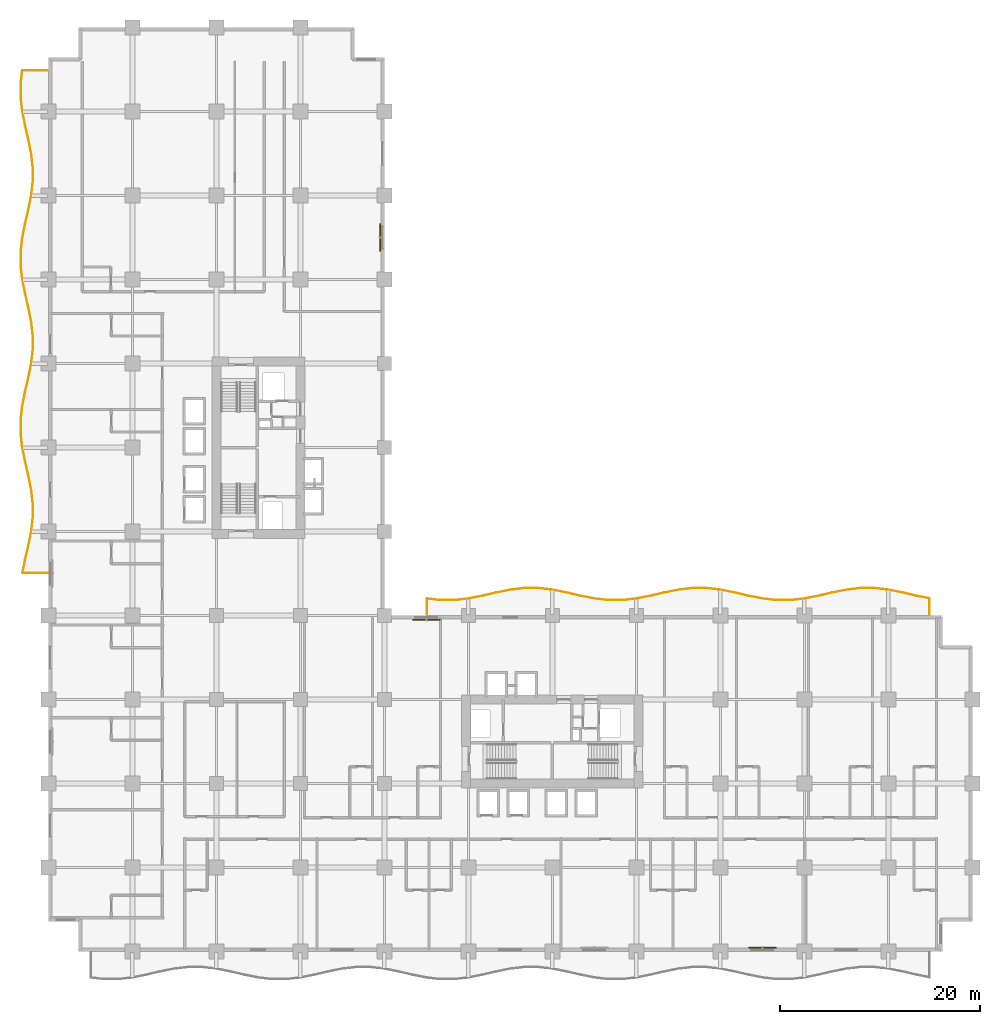
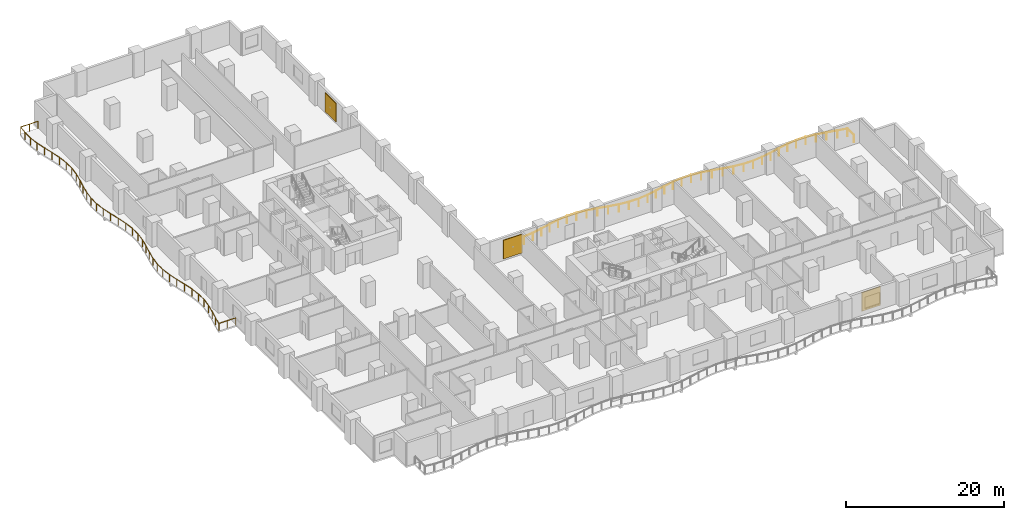
# One storey, part 22 of 22: 3 shading devices, 2 railings.
"""IFC4 building model written with IfcOpenShell, lengths in metres."""

import ifcopenshell
import ifcopenshell.guid

model = None  # the IFC model being written
_history = None  # IfcOwnerHistory: only IFC2X3 demands one
_inside = {}  # id of a spatial element -> (the spatial element, [elements in it])
_under = {}  # id of a project, library or spatial element -> (it, [spatial elements below it])
_declared = {}  # id of a project -> (the project, [libraries it declares])
_typed = {}  # id of a type object -> (the type object, [elements of that type])
_made_of = {}  # id of a material, layer set ... -> (it, [elements and type objects made of it])


def new_model(schema):
    """Start an empty IFC model of exactly this schema.

    Asked for "IFC4X3", IfcOpenShell would pick the latest addendum, in which some entities
    have other attributes; the version numbers below select the first issue.
    IFC2X3 requires an IfcOwnerHistory on every rooted entity: one is made here for all.
    """
    global model, _history
    if schema == "IFC4X3":
        model = ifcopenshell.file(schema_version=(4, 3, 0, 0))
    else:
        model = ifcopenshell.file(schema=schema)
    _inside.clear()
    _under.clear()
    _declared.clear()
    _typed.clear()
    _made_of.clear()
    _history = None
    if model.schema == "IFC2X3":
        org = make("IfcOrganization", Name="unknown")
        user = make(
            "IfcPersonAndOrganization",
            ThePerson=make("IfcPerson", FamilyName="unknown"),
            TheOrganization=org,
        )
        app = make(
            "IfcApplication",
            ApplicationDeveloper=org,
            Version="unknown",
            ApplicationFullName="unknown",
            ApplicationIdentifier="unknown",
        )
        _history = make(
            "IfcOwnerHistory",
            OwningUser=user,
            OwningApplication=app,
            ChangeAction="ADDED",
            CreationDate=0,
        )
    return model


def make(cls, **values):
    """One entity of the class cls with the attributes given. An attribute that is None is left unset."""
    return model.create_entity(
        cls, **{name: value for name, value in values.items() if value is not None}
    )


def rooted(cls, **values):
    """An entity with a GlobalId (a new one), such as an element, a storey or a relation."""
    return make(cls, GlobalId=ifcopenshell.guid.new(), OwnerHistory=_history, **values)


def si_unit(unit_type, name, prefix=None):
    """IfcSIUnit, for example si_unit("LENGTHUNIT", "METRE", prefix="MILLI")."""
    return make("IfcSIUnit", UnitType=unit_type, Prefix=prefix, Name=name)


def assignment(units):
    """IfcUnitAssignment: the units of a project."""
    return None if units is None else make("IfcUnitAssignment", Units=units)


def point(xyz):
    """IfcCartesianPoint."""
    return None if xyz is None else make("IfcCartesianPoint", Coordinates=xyz)


def direction(xyz):
    """IfcDirection."""
    return None if xyz is None else make("IfcDirection", DirectionRatios=xyz)


def frame(location, z_axis=None, x_axis=None):
    """IfcAxis2Placement3D, a coordinate frame: its origin and axes. An axis left out is left unset."""
    return make(
        "IfcAxis2Placement3D",
        Location=point(location),
        Axis=direction(z_axis),
        RefDirection=direction(x_axis),
    )


def frame_2d(location, x_axis=None):
    """IfcAxis2Placement2D, a coordinate frame in the plane: its origin and x axis."""
    return make(
        "IfcAxis2Placement2D", Location=point(location), RefDirection=direction(x_axis)
    )


def origin():
    """The frame at (0, 0, 0) with its axes left unset."""
    return frame((0.0, 0.0, 0.0))


def origin_2d():
    """The frame at (0, 0) in the plane with its x axis left unset."""
    return frame_2d((0.0, 0.0))


def place(relative_to, where):
    """IfcLocalPlacement: puts the frame where relative to a parent placement (None: the world)."""
    return make(
        "IfcLocalPlacement", PlacementRelTo=relative_to, RelativePlacement=where
    )


def context(
    kind, dimensions, precision=None, world=None, true_north=None, identifier=None
):
    """IfcGeometricRepresentationContext, for example the 3D "Model" context."""
    return make(
        "IfcGeometricRepresentationContext",
        ContextIdentifier=identifier,
        ContextType=kind,
        CoordinateSpaceDimension=dimensions,
        Precision=precision,
        WorldCoordinateSystem=world,
        TrueNorth=true_north,
    )


def subcontext(parent, identifier, kind, view, scale=None):
    """IfcGeometricRepresentationSubContext, for example "Body" below "Model"."""
    return make(
        "IfcGeometricRepresentationSubContext",
        ContextIdentifier=identifier,
        ContextType=kind,
        ParentContext=parent,
        TargetScale=scale,
        TargetView=view,
    )


def project(units=None, contexts=None):
    """IfcProject with its units and contexts."""
    return rooted(
        "IfcProject",
        Name="project",
        RepresentationContexts=contexts,
        UnitsInContext=assignment(units),
    )


def spatial(cls, under=None, at=None, **own):
    """A site, building, storey or space (cls), placed at a placement, below another one or the project."""
    s = rooted(cls, ObjectPlacement=at, **own)
    if under is not None:
        _under.setdefault(under.id(), (under, []))[1].append(s)
    return s


def profile(cls, at=None, kind="AREA", **sizes):
    """A parametric profile (cls). Its sizes go by their IFC names, for example OverallWidth=200.0."""
    return make(cls, ProfileType=kind, Position=at, **sizes)


def rectangle(**sizes):
    """IfcRectangleProfileDef."""
    return profile("IfcRectangleProfileDef", **sizes)


def circle(**sizes):
    """IfcCircleProfileDef."""
    return profile("IfcCircleProfileDef", **sizes)


def extrude(swept, where, along, depth):
    """IfcExtrudedAreaSolid: the profile swept, set in the frame where, extruded along a direction by depth."""
    return make(
        "IfcExtrudedAreaSolid",
        SweptArea=swept,
        Position=where,
        ExtrudedDirection=direction(along),
        Depth=depth,
    )


def shape(context_of_items, identifier, shape_type, items):
    """IfcShapeRepresentation: the items that make up one representation, for example the "Body"."""
    return make(
        "IfcShapeRepresentation",
        ContextOfItems=context_of_items,
        RepresentationIdentifier=identifier,
        RepresentationType=shape_type,
        Items=items,
    )


def material(Name=None, Category=None):
    """IfcMaterial."""
    return make("IfcMaterial", Name=Name, Category=Category)


def layer(
    of_material, thickness, ventilated=None, Name=None, Category=None, Priority=None
):
    """IfcMaterialLayer: one layer of a wall or slab, of a material (None: an air gap)."""
    return make(
        "IfcMaterialLayer",
        Material=of_material,
        LayerThickness=thickness,
        IsVentilated=ventilated,
        Name=Name,
        Category=Category,
        Priority=Priority,
    )


def layer_set(layers, Name=None):
    """IfcMaterialLayerSet."""
    return make("IfcMaterialLayerSet", MaterialLayers=layers, LayerSetName=Name)


def made_of(thing, what):
    """Note that an element or type object is made of a material, layer set ...; save() writes the relation."""
    if what is not None:
        _made_of.setdefault(what.id(), (what, []))[1].append(thing)
    return thing


def type_object(cls, material=None, **own):
    """A type object (cls), such as IfcWallType, which elements share."""
    return made_of(rooted(cls, **own), material)


def element(
    cls,
    number,
    at=None,
    inside=None,
    cuts=None,
    type_object=None,
    material=None,
    context=None,
    identifier="Body",
    shape_type=None,
    held_by="IfcProductDefinitionShape",
    body=None,
    shapes=None,
    **own,
):
    """One element of the class cls, such as IfcWall. Its Tag is "e" and its number.

    at: its placement. inside: the storey or other place that contains it. cuts: it is an
    opening in that element (IfcRelVoidsElement). A single representation is given by context,
    identifier, shape_type and body (its items); several are given by shapes. held_by: the class
    of the entity that holds the representations. save() writes the other relations.
    """
    e = rooted(cls, Tag="e%d" % number, ObjectPlacement=at, **own)
    if body is not None:
        shapes = [shape(context, identifier, shape_type, body)]
    if shapes is not None:
        e.Representation = make(held_by, Representations=shapes)
    if inside is not None:
        _inside.setdefault(inside.id(), (inside, []))[1].append(e)
    if cuts is not None:
        rooted(
            "IfcRelVoidsElement", RelatingBuildingElement=cuts, RelatedOpeningElement=e
        )
    if type_object is not None:
        _typed.setdefault(type_object.id(), (type_object, []))[1].append(e)
    return made_of(e, material)


def aggregate(whole, parts):
    """IfcRelAggregates: a whole, such as a stair, and the parts it consists of."""
    return rooted("IfcRelAggregates", RelatingObject=whole, RelatedObjects=parts)


def save(model, path):
    """Write the relations noted so far, then the file.

    IfcRelAggregates (storeys below a building ...), IfcRelContainedInSpatialStructure (elements
    in a storey), IfcRelDefinesByType, IfcRelAssociatesMaterial and IfcRelDeclares: one each for
    every whole, place, type object, material and project.
    """
    for whole, parts in _under.values():
        aggregate(whole, parts)
    for where, things in _inside.values():
        rooted(
            "IfcRelContainedInSpatialStructure",
            RelatedElements=things,
            RelatingStructure=where,
        )
    for kind, things in _typed.values():
        rooted("IfcRelDefinesByType", RelatedObjects=things, RelatingType=kind)
    for what, things in _made_of.values():
        rooted("IfcRelAssociatesMaterial", RelatedObjects=things, RelatingMaterial=what)
    for by, libraries in _declared.values():
        rooted("IfcRelDeclares", RelatingContext=by, RelatedDefinitions=libraries)
    model.write(path)


model = new_model("IFC4")

# Units and contexts
model_context = context("Model", 3, precision=1e-05, world=origin(), true_north=direction((0.0, 1.0)))
body_context = subcontext(model_context, "Body", "Model", "MODEL_VIEW")
ifc_project = project(units=[si_unit("LENGTHUNIT", "METRE"), si_unit("AREAUNIT", "SQUARE_METRE"), si_unit("VOLUMEUNIT", "CUBIC_METRE"), si_unit("PLANEANGLEUNIT", "RADIAN"), si_unit("MASSUNIT", "GRAM", prefix="KILO")], contexts=[model_context])

# Site, building, storey
site_placement = place(None, origin())
site = spatial("IfcSite", under=ifc_project, at=site_placement, CompositionType="ELEMENT")
building_placement = place(site_placement, origin())
building = spatial("IfcBuilding", under=site, at=building_placement, Name="Koriwani Terraces Tower", CompositionType="ELEMENT")
storey_placement = place(building_placement, frame((0.0, 0.0, 51.0)))
storey = spatial("IfcBuildingStorey", under=building, at=storey_placement, Name="L11", CompositionType="ELEMENT", Elevation=51.0)

# Railings
ifc_material_1 = material(Name="Steel ASTM A572 Grade 50", Category="steel")
railing_type = type_object("IfcRailingType", Name="GUARD_BALUSTRADE_1150", PredefinedType="BALUSTRADE", material=ifc_material_1)
railing_1_placement = place(storey_placement, frame((-0.080078125, 37.8798828125, 0.0)))
element("IfcRailing", 1, at=railing_1_placement, inside=storey, type_object=railing_type, Name="L11 Balcony Perimeter Safety Balustrade (W)", PredefinedType="BALUSTRADE", context=body_context, shape_type="SweptSolid", body=[
    extrude(circle(Radius=0.02392578125, at=origin_2d()), frame((0.0, 0.0, 1.1259765625), z_axis=(-1.0, 0.0, 0.0), x_axis=(0.0, -1.0, 0.0)), (0.0, 0.0, 1.0), 2.4892578125),
    extrude(circle(Radius=0.02392578125, at=origin_2d()), frame((-2.4892578125, 0.0, 1.1259765625), z_axis=(0.196186786742, 0.980566542723, 0.0), x_axis=(-0.980566542723, 0.196186786742, 0.0)), (0.0, 0.0, 1.0), 1.3291015625),
    extrude(circle(Radius=0.02392578125, at=origin_2d()), frame((-2.228515625, 1.30322265625, 1.1259765625), z_axis=(0.225144925641, 0.974325285753, 0.0), x_axis=(-0.974325285753, 0.225144925641, 0.0)), (0.0, 0.0, 1.0), 1.436767578125),
    extrude(circle(Radius=0.02392578125, at=origin_2d()), frame((-1.905029296875, 2.703125, 1.1259765625), z_axis=(0.196181690301, 0.980567562379, 0.0), x_axis=(-0.980567562379, 0.196181690301, 0.0)), (0.0, 0.0, 1.0), 1.432373046875),
    extrude(circle(Radius=0.02392578125, at=origin_2d()), frame((-1.6240234375, 4.107666015625, 1.1259765625), z_axis=(0.114722179915, 0.993397614974, 0.0), x_axis=(-0.993397614974, 0.114722179915, 0.0)), (0.0, 0.0, 1.0), 1.417236328125),
    extrude(circle(Radius=0.02392578125, at=origin_2d()), frame((-1.46142578125, 5.515625, 1.1259765625), z_axis=(0.0, 1.0, 0.0), x_axis=(-1.0, 0.0, 0.0)), (0.0, 0.0, 1.0), 1.4091796875),
    extrude(circle(Radius=0.02392578125, at=origin_2d()), frame((-1.46142578125, 6.9248046875, 1.1259765625), z_axis=(-0.114741814309, 0.993395347306, 0.0), x_axis=(-0.993395347306, -0.114741814309, 0.0)), (0.0, 0.0, 1.0), 1.4169921875),
    extrude(circle(Radius=0.02392578125, at=origin_2d()), frame((-1.6240234375, 8.33251953125, 1.1259765625), z_axis=(-0.196181690301, 0.980567562379, 0.0), x_axis=(-0.980567562379, -0.196181690301, 0.0)), (0.0, 0.0, 1.0), 1.432373046875),
    extrude(circle(Radius=0.02392578125, at=origin_2d()), frame((-1.905029296875, 9.737060546875, 1.1259765625), z_axis=(-0.225144925641, 0.974325285753, 0.0), x_axis=(-0.974325285753, -0.225144925641, 0.0)), (0.0, 0.0, 1.0), 1.436767578125),
    extrude(circle(Radius=0.02392578125, at=origin_2d()), frame((-2.228515625, 11.136962890625, 1.1259765625), z_axis=(-0.196215086073, 0.980560880312, 0.0), x_axis=(-0.980560880312, -0.196215086073, 0.0)), (0.0, 0.0, 1.0), 1.42333984375),
    extrude(circle(Radius=0.02392578125, at=origin_2d()), frame((-2.5078125, 12.53271484375, 1.1259765625), z_axis=(-0.114809259658, 0.993387554732, 0.0), x_axis=(-0.993387554732, -0.114809259658, 0.0)), (0.0, 0.0, 1.0), 1.4013671875),
    extrude(circle(Radius=0.02392578125, at=origin_2d()), frame((-2.668701171875, 13.9248046875, 1.1259765625), z_axis=(0.0, 1.0, 0.0), x_axis=(-1.0, 0.0, 0.0)), (0.0, 0.0, 1.0), 1.390625),
    extrude(circle(Radius=0.02392578125, at=origin_2d()), frame((-2.668701171875, 15.3154296875, 1.1259765625), z_axis=(0.114809259658, 0.993387554732, 0.0), x_axis=(-0.993387554732, 0.114809259658, 0.0)), (0.0, 0.0, 1.0), 1.4013671875),
    extrude(circle(Radius=0.02392578125, at=origin_2d()), frame((-2.5078125, 16.70751953125, 1.1259765625), z_axis=(0.196215086073, 0.980560880312, 0.0), x_axis=(-0.980560880312, 0.196215086073, 0.0)), (0.0, 0.0, 1.0), 1.42333984375),
    extrude(circle(Radius=0.02392578125, at=origin_2d()), frame((-2.228515625, 18.103271484375, 1.1259765625), z_axis=(0.225144925641, 0.974325285753, 0.0), x_axis=(-0.974325285753, 0.225144925641, 0.0)), (0.0, 0.0, 1.0), 1.436767578125),
    extrude(circle(Radius=0.02392578125, at=origin_2d()), frame((-1.905029296875, 19.503173828125, 1.1259765625), z_axis=(0.196181690301, 0.980567562379, 0.0), x_axis=(-0.980567562379, 0.196181690301, 0.0)), (0.0, 0.0, 1.0), 1.432373046875),
    extrude(circle(Radius=0.02392578125, at=origin_2d()), frame((-1.6240234375, 20.90771484375, 1.1259765625), z_axis=(0.114741814309, 0.993395347306, 0.0), x_axis=(-0.993395347306, 0.114741814309, 0.0)), (0.0, 0.0, 1.0), 1.4169921875),
    extrude(circle(Radius=0.02392578125, at=origin_2d()), frame((-1.46142578125, 22.3154296875, 1.1259765625), z_axis=(0.0, 1.0, 0.0), x_axis=(-1.0, 0.0, 0.0)), (0.0, 0.0, 1.0), 1.4091796875),
    extrude(circle(Radius=0.02392578125, at=origin_2d()), frame((-1.46142578125, 23.724609375, 1.1259765625), z_axis=(-0.114722179915, 0.993397614974, 0.0), x_axis=(-0.993397614974, -0.114722179915, 0.0)), (0.0, 0.0, 1.0), 1.417236328125),
    extrude(circle(Radius=0.02392578125, at=origin_2d()), frame((-1.6240234375, 25.132568359375, 1.1259765625), z_axis=(-0.196181690301, 0.980567562379, 0.0), x_axis=(-0.980567562379, -0.196181690301, 0.0)), (0.0, 0.0, 1.0), 1.432373046875),
    extrude(circle(Radius=0.02392578125, at=origin_2d()), frame((-1.905029296875, 26.537109375, 1.1259765625), z_axis=(-0.225144925641, 0.974325285753, 0.0), x_axis=(-0.974325285753, -0.225144925641, 0.0)), (0.0, 0.0, 1.0), 1.436767578125),
    extrude(circle(Radius=0.02392578125, at=origin_2d()), frame((-2.228515625, 27.93701171875, 1.1259765625), z_axis=(-0.196248091466, 0.980554275191, 0.0), x_axis=(-0.980554275191, -0.196248091466, 0.0)), (0.0, 0.0, 1.0), 1.423095703125),
    extrude(circle(Radius=0.02392578125, at=origin_2d()), frame((-2.5078125, 29.33251953125, 1.1259765625), z_axis=(-0.114809259658, 0.993387554732, 0.0), x_axis=(-0.993387554732, -0.114809259658, 0.0)), (0.0, 0.0, 1.0), 1.4013671875),
    extrude(circle(Radius=0.02392578125, at=origin_2d()), frame((-2.668701171875, 30.724609375, 1.1259765625), z_axis=(0.0, 1.0, 0.0), x_axis=(-1.0, 0.0, 0.0)), (0.0, 0.0, 1.0), 1.390869140625),
    extrude(circle(Radius=0.02392578125, at=origin_2d()), frame((-2.668701171875, 32.115478515625, 1.1259765625), z_axis=(0.114809259658, 0.993387554732, 0.0), x_axis=(-0.993387554732, 0.114809259658, 0.0)), (0.0, 0.0, 1.0), 1.4013671875),
    extrude(circle(Radius=0.02392578125, at=origin_2d()), frame((-2.5078125, 33.507568359375, 1.1259765625), z_axis=(0.196215086073, 0.980560880312, 0.0), x_axis=(-0.980560880312, 0.196215086073, 0.0)), (0.0, 0.0, 1.0), 1.42333984375),
    extrude(circle(Radius=0.02392578125, at=origin_2d()), frame((-2.228515625, 34.9033203125, 1.1259765625), z_axis=(0.225144925641, 0.974325285753, 0.0), x_axis=(-0.974325285753, 0.225144925641, 0.0)), (0.0, 0.0, 1.0), 1.436767578125),
    extrude(circle(Radius=0.02392578125, at=origin_2d()), frame((-1.905029296875, 36.30322265625, 1.1259765625), z_axis=(0.196181690301, 0.980567562379, 0.0), x_axis=(-0.980567562379, 0.196181690301, 0.0)), (0.0, 0.0, 1.0), 1.432373046875),
    extrude(circle(Radius=0.02392578125, at=origin_2d()), frame((-1.6240234375, 37.707763671875, 1.1259765625), z_axis=(0.114741814309, 0.993395347306, 0.0), x_axis=(-0.993395347306, 0.114741814309, 0.0)), (0.0, 0.0, 1.0), 1.4169921875),
    extrude(circle(Radius=0.02392578125, at=origin_2d()), frame((-1.46142578125, 39.115478515625, 1.1259765625), z_axis=(0.0, 1.0, 0.0), x_axis=(-1.0, 0.0, 0.0)), (0.0, 0.0, 1.0), 1.4091796875),
    extrude(circle(Radius=0.02392578125, at=origin_2d()), frame((-1.46142578125, 40.524658203125, 1.1259765625), z_axis=(-0.114722179915, 0.993397614974, 0.0), x_axis=(-0.993397614974, -0.114722179915, 0.0)), (0.0, 0.0, 1.0), 1.417236328125),
    extrude(circle(Radius=0.02392578125, at=origin_2d()), frame((-1.6240234375, 41.9326171875, 1.1259765625), z_axis=(-0.19621448399, 0.980561000791, 0.0), x_axis=(-0.980561000791, -0.19621448399, 0.0)), (0.0, 0.0, 1.0), 1.43212890625),
    extrude(circle(Radius=0.02392578125, at=origin_2d()), frame((-1.905029296875, 43.3369140625, 1.1259765625), z_axis=(-0.225107657095, 0.974333896935, 0.0), x_axis=(-0.974333896935, -0.225107657095, 0.0)), (0.0, 0.0, 1.0), 1.43701171875),
    extrude(circle(Radius=0.02392578125, at=origin_2d()), frame((-2.228515625, 44.737060546875, 1.1259765625), z_axis=(-0.196248091466, 0.980554275191, 0.0), x_axis=(-0.980554275191, -0.196248091466, 0.0)), (0.0, 0.0, 1.0), 1.423095703125),
    extrude(circle(Radius=0.02392578125, at=origin_2d()), frame((-2.5078125, 46.132568359375, 1.1259765625), z_axis=(-0.114809259658, 0.993387554732, 0.0), x_axis=(-0.993387554732, -0.114809259658, 0.0)), (0.0, 0.0, 1.0), 1.4013671875),
    extrude(circle(Radius=0.02392578125, at=origin_2d()), frame((-2.668701171875, 47.524658203125, 1.1259765625), z_axis=(0.0, 1.0, 0.0), x_axis=(-1.0, 0.0, 0.0)), (0.0, 0.0, 1.0), 1.390869140625),
    extrude(circle(Radius=0.02392578125, at=origin_2d()), frame((-2.668701171875, 48.91552734375, 1.1259765625), z_axis=(0.114790882492, 0.993389678473, 0.0), x_axis=(-0.993389678473, 0.114790882492, 0.0)), (0.0, 0.0, 1.0), 1.33349609375),
    extrude(circle(Radius=0.02392578125, at=origin_2d()), frame((-2.515625, 50.240234375, 1.1259765625), z_axis=(1.0, 0.0, 0.0), x_axis=(0.0, 1.0, 0.0)), (0.0, 0.0, 1.0), 2.515625),
    extrude(circle(Radius=0.02099609375, at=origin_2d()), origin(), (0.0, 0.0, 1.0), 1.101806640625),
    extrude(circle(Radius=0.02099609375, at=origin_2d()), frame((-1.24462890625, 0.0, 0.0)), (0.0, 0.0, 1.0), 1.101806640625),
    extrude(circle(Radius=0.02099609375, at=origin_2d()), frame((-2.4892578125, 0.0, 0.0)), (0.0, 0.0, 1.0), 1.101806640625),
    extrude(circle(Radius=0.02099609375, at=origin_2d()), frame((-2.228515625, 1.30322265625, 0.0)), (0.0, 0.0, 1.0), 1.101806640625),
    extrude(circle(Radius=0.02099609375, at=origin_2d()), frame((-1.905029296875, 2.703125, 0.0)), (0.0, 0.0, 1.0), 1.101806640625),
    extrude(circle(Radius=0.02099609375, at=origin_2d()), frame((-1.6240234375, 4.107666015625, 0.0)), (0.0, 0.0, 1.0), 1.101806640625),
    extrude(circle(Radius=0.02099609375, at=origin_2d()), frame((-1.46142578125, 5.515625, 0.0)), (0.0, 0.0, 1.0), 1.101806640625),
    extrude(circle(Radius=0.02099609375, at=origin_2d()), frame((-1.46142578125, 6.9248046875, 0.0)), (0.0, 0.0, 1.0), 1.101806640625),
    extrude(circle(Radius=0.02099609375, at=origin_2d()), frame((-1.6240234375, 8.33251953125, 0.0)), (0.0, 0.0, 1.0), 1.101806640625),
    extrude(circle(Radius=0.02099609375, at=origin_2d()), frame((-1.905029296875, 9.737060546875, 0.0)), (0.0, 0.0, 1.0), 1.101806640625),
    extrude(circle(Radius=0.02099609375, at=origin_2d()), frame((-2.228515625, 11.136962890625, 0.0)), (0.0, 0.0, 1.0), 1.101806640625),
    extrude(circle(Radius=0.02099609375, at=origin_2d()), frame((-2.5078125, 12.53271484375, 0.0)), (0.0, 0.0, 1.0), 1.101806640625),
    extrude(circle(Radius=0.02099609375, at=origin_2d()), frame((-2.668701171875, 13.9248046875, 0.0)), (0.0, 0.0, 1.0), 1.101806640625),
    extrude(circle(Radius=0.02099609375, at=origin_2d()), frame((-2.668701171875, 15.3154296875, 0.0)), (0.0, 0.0, 1.0), 1.101806640625),
    extrude(circle(Radius=0.02099609375, at=origin_2d()), frame((-2.5078125, 16.70751953125, 0.0)), (0.0, 0.0, 1.0), 1.101806640625),
    extrude(circle(Radius=0.02099609375, at=origin_2d()), frame((-2.228515625, 18.103271484375, 0.0)), (0.0, 0.0, 1.0), 1.101806640625),
    extrude(circle(Radius=0.02099609375, at=origin_2d()), frame((-1.905029296875, 19.503173828125, 0.0)), (0.0, 0.0, 1.0), 1.101806640625),
    extrude(circle(Radius=0.02099609375, at=origin_2d()), frame((-1.6240234375, 20.90771484375, 0.0)), (0.0, 0.0, 1.0), 1.101806640625),
    extrude(circle(Radius=0.02099609375, at=origin_2d()), frame((-1.46142578125, 22.3154296875, 0.0)), (0.0, 0.0, 1.0), 1.101806640625),
    extrude(circle(Radius=0.02099609375, at=origin_2d()), frame((-1.46142578125, 23.724609375, 0.0)), (0.0, 0.0, 1.0), 1.101806640625),
    extrude(circle(Radius=0.02099609375, at=origin_2d()), frame((-1.6240234375, 25.132568359375, 0.0)), (0.0, 0.0, 1.0), 1.101806640625),
    extrude(circle(Radius=0.02099609375, at=origin_2d()), frame((-1.905029296875, 26.537109375, 0.0)), (0.0, 0.0, 1.0), 1.101806640625),
    extrude(circle(Radius=0.02099609375, at=origin_2d()), frame((-2.228515625, 27.93701171875, 0.0)), (0.0, 0.0, 1.0), 1.101806640625),
    extrude(circle(Radius=0.02099609375, at=origin_2d()), frame((-2.5078125, 29.33251953125, 0.0)), (0.0, 0.0, 1.0), 1.101806640625),
    extrude(circle(Radius=0.02099609375, at=origin_2d()), frame((-2.668701171875, 30.724609375, 0.0)), (0.0, 0.0, 1.0), 1.101806640625),
    extrude(circle(Radius=0.02099609375, at=origin_2d()), frame((-2.668701171875, 32.115478515625, 0.0)), (0.0, 0.0, 1.0), 1.101806640625),
    extrude(circle(Radius=0.02099609375, at=origin_2d()), frame((-2.5078125, 33.507568359375, 0.0)), (0.0, 0.0, 1.0), 1.101806640625),
    extrude(circle(Radius=0.02099609375, at=origin_2d()), frame((-2.228515625, 34.9033203125, 0.0)), (0.0, 0.0, 1.0), 1.101806640625),
    extrude(circle(Radius=0.02099609375, at=origin_2d()), frame((-1.905029296875, 36.30322265625, 0.0)), (0.0, 0.0, 1.0), 1.101806640625),
    extrude(circle(Radius=0.02099609375, at=origin_2d()), frame((-1.6240234375, 37.707763671875, 0.0)), (0.0, 0.0, 1.0), 1.101806640625),
    extrude(circle(Radius=0.02099609375, at=origin_2d()), frame((-1.46142578125, 39.115478515625, 0.0)), (0.0, 0.0, 1.0), 1.101806640625),
    extrude(circle(Radius=0.02099609375, at=origin_2d()), frame((-1.46142578125, 40.524658203125, 0.0)), (0.0, 0.0, 1.0), 1.101806640625),
    extrude(circle(Radius=0.02099609375, at=origin_2d()), frame((-1.6240234375, 41.9326171875, 0.0)), (0.0, 0.0, 1.0), 1.101806640625),
    extrude(circle(Radius=0.02099609375, at=origin_2d()), frame((-1.905029296875, 43.3369140625, 0.0)), (0.0, 0.0, 1.0), 1.101806640625),
    extrude(circle(Radius=0.02099609375, at=origin_2d()), frame((-2.228515625, 44.737060546875, 0.0)), (0.0, 0.0, 1.0), 1.101806640625),
    extrude(circle(Radius=0.02099609375, at=origin_2d()), frame((-2.5078125, 46.132568359375, 0.0)), (0.0, 0.0, 1.0), 1.101806640625),
    extrude(circle(Radius=0.02099609375, at=origin_2d()), frame((-2.668701171875, 47.524658203125, 0.0)), (0.0, 0.0, 1.0), 1.101806640625),
    extrude(circle(Radius=0.02099609375, at=origin_2d()), frame((-2.668701171875, 48.91552734375, 0.0)), (0.0, 0.0, 1.0), 1.101806640625),
    extrude(circle(Radius=0.02099609375, at=origin_2d()), frame((-2.515625, 50.240234375, 0.0)), (0.0, 0.0, 1.0), 1.101806640625),
    extrude(circle(Radius=0.02099609375, at=origin_2d()), frame((-1.2578125, 50.240234375, 0.0)), (0.0, 0.0, 1.0), 1.101806640625),
    extrude(circle(Radius=0.02099609375, at=origin_2d()), frame((0.0, 50.240234375, 0.0)), (0.0, 0.0, 1.0), 1.101806640625),
])
railing_2_placement = place(storey_placement, frame((88.1201171875, 33.679931640625, 0.0)))
element("IfcRailing", 2, at=railing_2_placement, inside=storey, type_object=railing_type, Name="L11 Balcony Perimeter Safety Balustrade (NE)", PredefinedType="BALUSTRADE", context=body_context, shape_type="SweptSolid", body=[
    extrude(circle(Radius=0.02392578125, at=origin_2d()), frame((0.0, 0.0, 1.1259765625), z_axis=(0.0, 1.0, 0.0), x_axis=(-1.0, 0.0, 0.0)), (0.0, 0.0, 1.0), 1.637451171875),
    extrude(circle(Radius=0.02392578125, at=origin_2d()), frame((0.0, 1.637451171875, 1.1259765625), z_axis=(-0.980553117747, 0.196253874553, 0.0), x_axis=(-0.196253874553, -0.980553117747, 0.0)), (0.0, 0.0, 1.0), 1.363525390625),
    extrude(circle(Radius=0.02392578125, at=origin_2d()), frame((-1.3369140625, 1.905029296875, 1.1259765625), z_axis=(-0.974296622472, 0.225268931368, 0.0), x_axis=(-0.225268931368, -0.974296622472, 0.0)), (0.0, 0.0, 1.0), 1.43701171875),
    extrude(circle(Radius=0.02392578125, at=origin_2d()), frame((-2.737060546875, 2.228759765625, 1.1259765625), z_axis=(-0.980587273263, 0.196083144391, 0.0), x_axis=(-0.196083144391, -0.980587273263, 0.0)), (0.0, 0.0, 1.0), 1.423095703125),
    extrude(circle(Radius=0.02392578125, at=origin_2d()), frame((-4.132568359375, 2.5078125, 1.1259765625), z_axis=(-0.993387554732, 0.114809259658, 0.0), x_axis=(-0.114809259658, -0.993387554732, 0.0)), (0.0, 0.0, 1.0), 1.4013671875),
    extrude(circle(Radius=0.02392578125, at=origin_2d()), frame((-5.524658203125, 2.668701171875, 1.1259765625), z_axis=(-1.0, 0.0, 0.0), x_axis=(0.0, -1.0, 0.0)), (0.0, 0.0, 1.0), 1.390869140625),
    extrude(circle(Radius=0.02392578125, at=origin_2d()), frame((-6.91552734375, 2.668701171875, 1.1259765625), z_axis=(-0.993387554732, -0.114809259658, 0.0), x_axis=(0.114809259658, -0.993387554732, 0.0)), (0.0, 0.0, 1.0), 1.4013671875),
    extrude(circle(Radius=0.02392578125, at=origin_2d()), frame((-8.3076171875, 2.5078125, 1.1259765625), z_axis=(-0.980587273263, -0.196083144391, 0.0), x_axis=(0.196083144391, -0.980587273263, 0.0)), (0.0, 0.0, 1.0), 1.423095703125),
    extrude(circle(Radius=0.02392578125, at=origin_2d()), frame((-9.703125, 2.228759765625, 1.1259765625), z_axis=(-0.974296622472, -0.225268931368, 0.0), x_axis=(0.225268931368, -0.974296622472, 0.0)), (0.0, 0.0, 1.0), 1.43701171875),
    extrude(circle(Radius=0.02392578125, at=origin_2d()), frame((-11.103271484375, 1.905029296875, 1.1259765625), z_axis=(-0.980600338098, -0.196017797464, 0.0), x_axis=(0.196017797464, -0.980600338098, 0.0)), (0.0, 0.0, 1.0), 1.432373046875),
    extrude(circle(Radius=0.02392578125, at=origin_2d()), frame((-12.5078125, 1.624267578125, 1.1259765625), z_axis=(-0.993395347306, -0.114741814309, 0.0), x_axis=(0.114741814309, -0.993395347306, 0.0)), (0.0, 0.0, 1.0), 1.4169921875),
    extrude(circle(Radius=0.02392578125, at=origin_2d()), frame((-13.91552734375, 1.461669921875, 1.1259765625), z_axis=(-1.0, 0.0, 0.0), x_axis=(0.0, -1.0, 0.0)), (0.0, 0.0, 1.0), 1.4091796875),
    extrude(circle(Radius=0.02392578125, at=origin_2d()), frame((-15.32470703125, 1.461669921875, 1.1259765625), z_axis=(-0.993395347306, 0.114741814309, 0.0), x_axis=(-0.114741814309, -0.993395347306, 0.0)), (0.0, 0.0, 1.0), 1.4169921875),
    extrude(circle(Radius=0.02392578125, at=origin_2d()), frame((-16.732421875, 1.624267578125, 1.1259765625), z_axis=(-0.980600338098, 0.196017797464, 0.0), x_axis=(-0.196017797464, -0.980600338098, 0.0)), (0.0, 0.0, 1.0), 1.432373046875),
    extrude(circle(Radius=0.02392578125, at=origin_2d()), frame((-18.136962890625, 1.905029296875, 1.1259765625), z_axis=(-0.974296622472, 0.225268931368, 0.0), x_axis=(-0.225268931368, -0.974296622472, 0.0)), (0.0, 0.0, 1.0), 1.43701171875),
    extrude(circle(Radius=0.02392578125, at=origin_2d()), frame((-19.537109375, 2.228759765625, 1.1259765625), z_axis=(-0.980587273263, 0.196083144391, 0.0), x_axis=(-0.196083144391, -0.980587273263, 0.0)), (0.0, 0.0, 1.0), 1.423095703125),
    extrude(circle(Radius=0.02392578125, at=origin_2d()), frame((-20.9326171875, 2.5078125, 1.1259765625), z_axis=(-0.993387554732, 0.114809259658, 0.0), x_axis=(-0.114809259658, -0.993387554732, 0.0)), (0.0, 0.0, 1.0), 1.4013671875),
    extrude(circle(Radius=0.02392578125, at=origin_2d()), frame((-22.32470703125, 2.668701171875, 1.1259765625), z_axis=(-1.0, 0.0, 0.0), x_axis=(0.0, -1.0, 0.0)), (0.0, 0.0, 1.0), 1.390869140625),
    extrude(circle(Radius=0.02392578125, at=origin_2d()), frame((-23.715576171875, 2.668701171875, 1.1259765625), z_axis=(-0.993387554732, -0.114809259658, 0.0), x_axis=(0.114809259658, -0.993387554732, 0.0)), (0.0, 0.0, 1.0), 1.4013671875),
    extrude(circle(Radius=0.02392578125, at=origin_2d()), frame((-25.107666015625, 2.5078125, 1.1259765625), z_axis=(-0.980587273263, -0.196083144391, 0.0), x_axis=(0.196083144391, -0.980587273263, 0.0)), (0.0, 0.0, 1.0), 1.423095703125),
    extrude(circle(Radius=0.02392578125, at=origin_2d()), frame((-26.503173828125, 2.228759765625, 1.1259765625), z_axis=(-0.974296622472, -0.225268931368, 0.0), x_axis=(0.225268931368, -0.974296622472, 0.0)), (0.0, 0.0, 1.0), 1.43701171875),
    extrude(circle(Radius=0.02392578125, at=origin_2d()), frame((-27.9033203125, 1.905029296875, 1.1259765625), z_axis=(-0.980593787249, -0.196050565949, 0.0), x_axis=(0.196050565949, -0.980593787249, 0.0)), (0.0, 0.0, 1.0), 1.43212890625),
    extrude(circle(Radius=0.02392578125, at=origin_2d()), frame((-29.3076171875, 1.624267578125, 1.1259765625), z_axis=(-0.993397614974, -0.114722179915, 0.0), x_axis=(0.114722179915, -0.993397614974, 0.0)), (0.0, 0.0, 1.0), 1.417236328125),
    extrude(circle(Radius=0.02392578125, at=origin_2d()), frame((-30.715576171875, 1.461669921875, 1.1259765625), z_axis=(-1.0, 0.0, 0.0), x_axis=(0.0, -1.0, 0.0)), (0.0, 0.0, 1.0), 1.4091796875),
    extrude(circle(Radius=0.02392578125, at=origin_2d()), frame((-32.124755859375, 1.461669921875, 1.1259765625), z_axis=(-0.993395347306, 0.114741814309, 0.0), x_axis=(-0.114741814309, -0.993395347306, 0.0)), (0.0, 0.0, 1.0), 1.4169921875),
    extrude(circle(Radius=0.02392578125, at=origin_2d()), frame((-33.532470703125, 1.624267578125, 1.1259765625), z_axis=(-0.980600338098, 0.196017797464, 0.0), x_axis=(-0.196017797464, -0.980600338098, 0.0)), (0.0, 0.0, 1.0), 1.432373046875),
    extrude(circle(Radius=0.02392578125, at=origin_2d()), frame((-34.93701171875, 1.905029296875, 1.1259765625), z_axis=(-0.974287999277, 0.22530622376, 0.0), x_axis=(-0.22530622376, -0.974287999277, 0.0)), (0.0, 0.0, 1.0), 1.436767578125),
    extrude(circle(Radius=0.02392578125, at=origin_2d()), frame((-36.3369140625, 2.228759765625, 1.1259765625), z_axis=(-0.980593867507, 0.19605016452, 0.0), x_axis=(-0.19605016452, -0.980593867507, 0.0)), (0.0, 0.0, 1.0), 1.42333984375),
    extrude(circle(Radius=0.02392578125, at=origin_2d()), frame((-37.732666015625, 2.5078125, 1.1259765625), z_axis=(-0.993387554732, 0.114809259658, 0.0), x_axis=(-0.114809259658, -0.993387554732, 0.0)), (0.0, 0.0, 1.0), 1.4013671875),
    extrude(circle(Radius=0.02392578125, at=origin_2d()), frame((-39.124755859375, 2.668701171875, 1.1259765625), z_axis=(-1.0, 0.0, 0.0), x_axis=(0.0, -1.0, 0.0)), (0.0, 0.0, 1.0), 1.390869140625),
    extrude(circle(Radius=0.02392578125, at=origin_2d()), frame((-40.515625, 2.668701171875, 1.1259765625), z_axis=(-0.993387554732, -0.114809259658, 0.0), x_axis=(0.114809259658, -0.993387554732, 0.0)), (0.0, 0.0, 1.0), 1.4013671875),
    extrude(circle(Radius=0.02392578125, at=origin_2d()), frame((-41.90771484375, 2.5078125, 1.1259765625), z_axis=(-0.980587273263, -0.196083144391, 0.0), x_axis=(0.196083144391, -0.980587273263, 0.0)), (0.0, 0.0, 1.0), 1.423095703125),
    extrude(circle(Radius=0.02392578125, at=origin_2d()), frame((-43.30322265625, 2.228759765625, 1.1259765625), z_axis=(-0.974287999277, -0.22530622376, 0.0), x_axis=(0.22530622376, -0.974287999277, 0.0)), (0.0, 0.0, 1.0), 1.436767578125),
    extrude(circle(Radius=0.02392578125, at=origin_2d()), frame((-44.703125, 1.905029296875, 1.1259765625), z_axis=(-0.980600338098, -0.196017797464, 0.0), x_axis=(0.196017797464, -0.980600338098, 0.0)), (0.0, 0.0, 1.0), 1.432373046875),
    extrude(circle(Radius=0.02392578125, at=origin_2d()), frame((-46.107666015625, 1.624267578125, 1.1259765625), z_axis=(-0.993397614974, -0.114722179915, 0.0), x_axis=(0.114722179915, -0.993397614974, 0.0)), (0.0, 0.0, 1.0), 1.417236328125),
    extrude(circle(Radius=0.02392578125, at=origin_2d()), frame((-47.515625, 1.461669921875, 1.1259765625), z_axis=(-1.0, 0.0, 0.0), x_axis=(0.0, -1.0, 0.0)), (0.0, 0.0, 1.0), 1.4091796875),
    extrude(circle(Radius=0.02392578125, at=origin_2d()), frame((-48.9248046875, 1.461669921875, 1.1259765625), z_axis=(-0.993423462716, 0.11449813852, 0.0), x_axis=(-0.11449813852, -0.993423462716, 0.0)), (0.0, 0.0, 1.0), 1.32421875),
    extrude(circle(Radius=0.02392578125, at=origin_2d()), frame((-50.240234375, 1.61328125, 1.1259765625), z_axis=(0.0, -1.0, 0.0), x_axis=(1.0, 0.0, 0.0)), (0.0, 0.0, 1.0), 1.61328125),
    extrude(circle(Radius=0.02099609375, at=origin_2d()), origin(), (0.0, 0.0, 1.0), 1.101806640625),
    extrude(circle(Radius=0.02099609375, at=origin_2d()), frame((0.0, 1.637451171875, 0.0)), (0.0, 0.0, 1.0), 1.101806640625),
    extrude(circle(Radius=0.02099609375, at=origin_2d()), frame((-1.3369140625, 1.905029296875, 0.0)), (0.0, 0.0, 1.0), 1.101806640625),
    extrude(circle(Radius=0.02099609375, at=origin_2d()), frame((-2.737060546875, 2.228759765625, 0.0)), (0.0, 0.0, 1.0), 1.101806640625),
    extrude(circle(Radius=0.02099609375, at=origin_2d()), frame((-4.132568359375, 2.5078125, 0.0)), (0.0, 0.0, 1.0), 1.101806640625),
    extrude(circle(Radius=0.02099609375, at=origin_2d()), frame((-5.524658203125, 2.668701171875, 0.0)), (0.0, 0.0, 1.0), 1.101806640625),
    extrude(circle(Radius=0.02099609375, at=origin_2d()), frame((-6.91552734375, 2.668701171875, 0.0)), (0.0, 0.0, 1.0), 1.101806640625),
    extrude(circle(Radius=0.02099609375, at=origin_2d()), frame((-8.3076171875, 2.5078125, 0.0)), (0.0, 0.0, 1.0), 1.101806640625),
    extrude(circle(Radius=0.02099609375, at=origin_2d()), frame((-9.703125, 2.228759765625, 0.0)), (0.0, 0.0, 1.0), 1.101806640625),
    extrude(circle(Radius=0.02099609375, at=origin_2d()), frame((-11.103271484375, 1.905029296875, 0.0)), (0.0, 0.0, 1.0), 1.101806640625),
    extrude(circle(Radius=0.02099609375, at=origin_2d()), frame((-12.5078125, 1.624267578125, 0.0)), (0.0, 0.0, 1.0), 1.101806640625),
    extrude(circle(Radius=0.02099609375, at=origin_2d()), frame((-13.91552734375, 1.461669921875, 0.0)), (0.0, 0.0, 1.0), 1.101806640625),
    extrude(circle(Radius=0.02099609375, at=origin_2d()), frame((-15.32470703125, 1.461669921875, 0.0)), (0.0, 0.0, 1.0), 1.101806640625),
    extrude(circle(Radius=0.02099609375, at=origin_2d()), frame((-16.732421875, 1.624267578125, 0.0)), (0.0, 0.0, 1.0), 1.101806640625),
    extrude(circle(Radius=0.02099609375, at=origin_2d()), frame((-18.136962890625, 1.905029296875, 0.0)), (0.0, 0.0, 1.0), 1.101806640625),
    extrude(circle(Radius=0.02099609375, at=origin_2d()), frame((-19.537109375, 2.228759765625, 0.0)), (0.0, 0.0, 1.0), 1.101806640625),
    extrude(circle(Radius=0.02099609375, at=origin_2d()), frame((-20.9326171875, 2.5078125, 0.0)), (0.0, 0.0, 1.0), 1.101806640625),
    extrude(circle(Radius=0.02099609375, at=origin_2d()), frame((-22.32470703125, 2.668701171875, 0.0)), (0.0, 0.0, 1.0), 1.101806640625),
    extrude(circle(Radius=0.02099609375, at=origin_2d()), frame((-23.715576171875, 2.668701171875, 0.0)), (0.0, 0.0, 1.0), 1.101806640625),
    extrude(circle(Radius=0.02099609375, at=origin_2d()), frame((-25.107666015625, 2.5078125, 0.0)), (0.0, 0.0, 1.0), 1.101806640625),
    extrude(circle(Radius=0.02099609375, at=origin_2d()), frame((-26.503173828125, 2.228759765625, 0.0)), (0.0, 0.0, 1.0), 1.101806640625),
    extrude(circle(Radius=0.02099609375, at=origin_2d()), frame((-27.9033203125, 1.905029296875, 0.0)), (0.0, 0.0, 1.0), 1.101806640625),
    extrude(circle(Radius=0.02099609375, at=origin_2d()), frame((-29.3076171875, 1.624267578125, 0.0)), (0.0, 0.0, 1.0), 1.101806640625),
    extrude(circle(Radius=0.02099609375, at=origin_2d()), frame((-30.715576171875, 1.461669921875, 0.0)), (0.0, 0.0, 1.0), 1.101806640625),
    extrude(circle(Radius=0.02099609375, at=origin_2d()), frame((-32.124755859375, 1.461669921875, 0.0)), (0.0, 0.0, 1.0), 1.101806640625),
    extrude(circle(Radius=0.02099609375, at=origin_2d()), frame((-33.532470703125, 1.624267578125, 0.0)), (0.0, 0.0, 1.0), 1.101806640625),
    extrude(circle(Radius=0.02099609375, at=origin_2d()), frame((-34.93701171875, 1.905029296875, 0.0)), (0.0, 0.0, 1.0), 1.101806640625),
    extrude(circle(Radius=0.02099609375, at=origin_2d()), frame((-36.3369140625, 2.228759765625, 0.0)), (0.0, 0.0, 1.0), 1.101806640625),
    extrude(circle(Radius=0.02099609375, at=origin_2d()), frame((-37.732666015625, 2.5078125, 0.0)), (0.0, 0.0, 1.0), 1.101806640625),
    extrude(circle(Radius=0.02099609375, at=origin_2d()), frame((-39.124755859375, 2.668701171875, 0.0)), (0.0, 0.0, 1.0), 1.101806640625),
    extrude(circle(Radius=0.02099609375, at=origin_2d()), frame((-40.515625, 2.668701171875, 0.0)), (0.0, 0.0, 1.0), 1.101806640625),
    extrude(circle(Radius=0.02099609375, at=origin_2d()), frame((-41.90771484375, 2.5078125, 0.0)), (0.0, 0.0, 1.0), 1.101806640625),
    extrude(circle(Radius=0.02099609375, at=origin_2d()), frame((-43.30322265625, 2.228759765625, 0.0)), (0.0, 0.0, 1.0), 1.101806640625),
    extrude(circle(Radius=0.02099609375, at=origin_2d()), frame((-44.703125, 1.905029296875, 0.0)), (0.0, 0.0, 1.0), 1.101806640625),
    extrude(circle(Radius=0.02099609375, at=origin_2d()), frame((-46.107666015625, 1.624267578125, 0.0)), (0.0, 0.0, 1.0), 1.101806640625),
    extrude(circle(Radius=0.02099609375, at=origin_2d()), frame((-47.515625, 1.461669921875, 0.0)), (0.0, 0.0, 1.0), 1.101806640625),
    extrude(circle(Radius=0.02099609375, at=origin_2d()), frame((-48.9248046875, 1.461669921875, 0.0)), (0.0, 0.0, 1.0), 1.101806640625),
    extrude(circle(Radius=0.02099609375, at=origin_2d()), frame((-50.240234375, 1.61328125, 0.0)), (0.0, 0.0, 1.0), 1.101806640625),
    extrude(circle(Radius=0.02099609375, at=origin_2d()), frame((-50.240234375, 0.0, 0.0)), (0.0, 0.0, 1.0), 1.101806640625),
])

# Shading devices
ifc_material_2 = material(Name="Extruded Terracotta Clay", Category="masonry")
ifc_layer = layer(ifc_material_2, 0.1201171875, Name="Extruded Terracotta Clay")
ifc_layer_set = layer_set([ifc_layer], Name="Extruded Terracotta Clay")
shading_device_type = type_object("IfcShadingDeviceType", Name="TERRACOTTA_BAGUETTE_SCREEN_2800", PredefinedType="USERDEFINED", material=ifc_layer_set)
for number, where, z_axis, x_axis, name in (
    (3, (33.195068359375, 71.39990234375, 0.324951171875), (0.0, 0.0, 1.0), (0.0, -1.0, 0.0), "L11 Extruded Terracotta Baguette Screen (NW_IN-14)"),
    (4, (37.800048828125, 33.195068359375, 0.324951171875), (0.0, 0.0, 1.0), (1.0, 0.0, 0.0), "L11 Extruded Terracotta Baguette Screen (NE-2)"),
    (5, (71.39990234375, 0.405029296875, 0.324951171875), (0.0, 0.0, 1.0), (-1.0, 0.0, 0.0), "L11 Extruded Terracotta Baguette Screen (S-24)"),
):
    element("IfcShadingDevice", number, at=place(storey_placement, frame(where, z_axis=z_axis, x_axis=x_axis)), inside=storey, type_object=shading_device_type, Name=name, ObjectType="BAGUETTE", PredefinedType="USERDEFINED", context=body_context, shape_type="SweptSolid", body=[
        extrude(rectangle(XDim=2.760009765625, YDim=0.1201171875, at=origin_2d()), origin(), (0.0, 0.0, 1.0), 2.89990234375),
    ])

save(model, "model.ifc")
